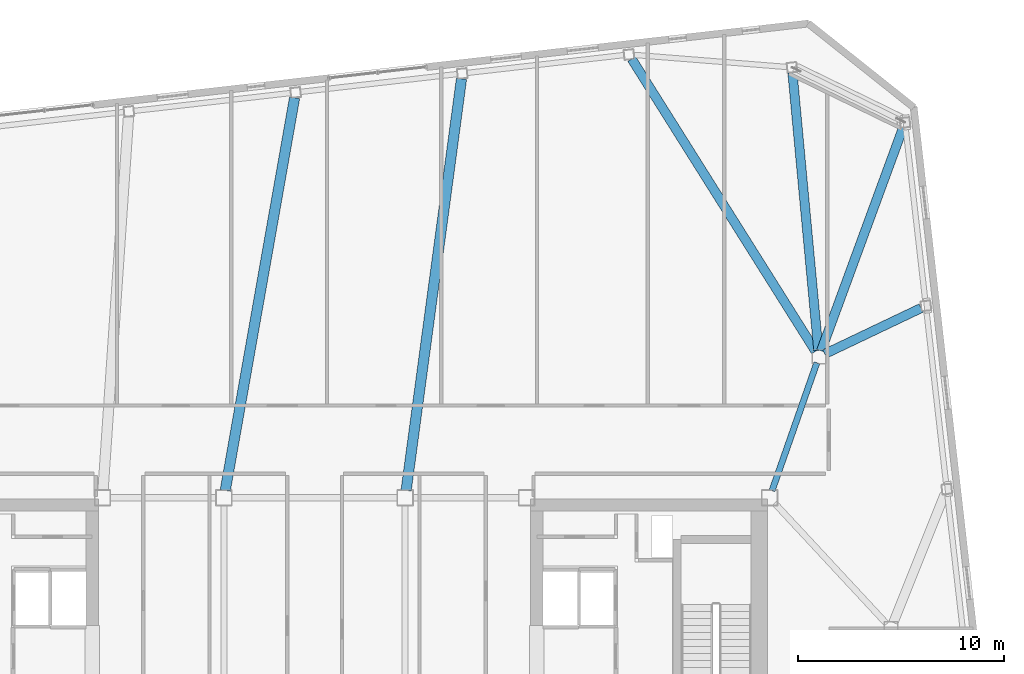
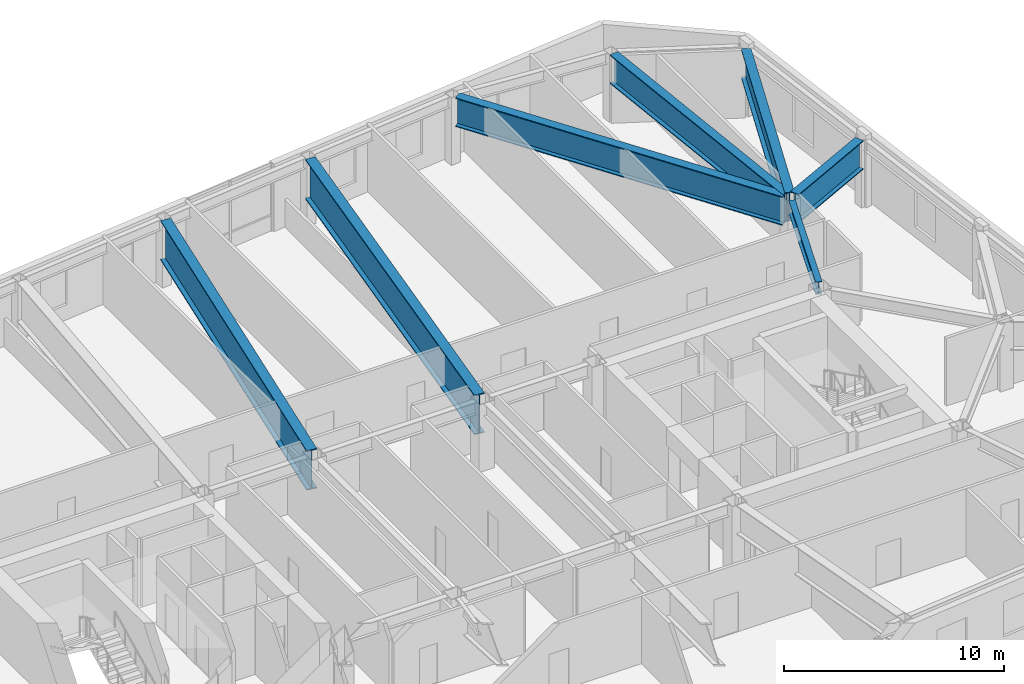
# One storey, part 8 of 18: 7 beams.
"""IFC4 building model written with IfcOpenShell, lengths in metres."""

from ifc_helpers import new_model, si_unit, direction, frame, origin, origin_2d, place, context, subcontext, project, spatial, i_section, extrude, material, material_profile, profile_set, type_object, element, save


model = new_model("IFC4")

# Units and contexts
model_context = context("Model", 3, precision=1e-05, world=origin(), true_north=direction((0.0, 1.0)))
body_context = subcontext(model_context, "Body", "Model", "MODEL_VIEW")
ifc_project = project(units=[si_unit("LENGTHUNIT", "METRE"), si_unit("AREAUNIT", "SQUARE_METRE"), si_unit("VOLUMEUNIT", "CUBIC_METRE"), si_unit("PLANEANGLEUNIT", "RADIAN"), si_unit("MASSUNIT", "GRAM", prefix="KILO")], contexts=[model_context])

# Site, building, storey
site_placement = place(None, origin())
site = spatial("IfcSite", under=ifc_project, at=site_placement, CompositionType="ELEMENT")
building_placement = place(site_placement, origin())
building = spatial("IfcBuilding", under=site, at=building_placement, Name="Tavrogorsk Clinical Tower", CompositionType="ELEMENT")
storey_placement = place(building_placement, frame((0.0, 0.0, 226.199951171875)))
storey = spatial("IfcBuildingStorey", under=building, at=storey_placement, Name="L52", CompositionType="ELEMENT", Elevation=226.199951171875)

# Beams
ifc_material_1 = material(Name="Structural steel S390", Category="steel")
ifc_material_profile_1 = material_profile(ifc_material_1, i_section(OverallWidth=0.300048828125, OverallDepth=0.699951171875, WebThickness=0.01708984375, FlangeThickness=0.028076171875, at=origin_2d()), Name="B-700x300x17x28")
ifc_profile_set_1 = profile_set([ifc_material_profile_1], Name="Structural steel S390")
beam_type_1 = type_object("IfcBeamType", Name="PrimaryGirder_B700", PredefinedType="USERDEFINED", material=ifc_profile_set_1)
beam_1_placement = place(storey_placement, frame((24.3974609375, 12.907470703125, 3.39013671875), z_axis=(-0.330654121425, -0.943752007672, 0.0), x_axis=(0.943752007672, -0.330654121425, 0.0)))
element("IfcBeam", 1, at=beam_1_placement, inside=storey, type_object=beam_type_1, Name="L52 Spine Link Girder OPG-4", ObjectType="GIRDER", PredefinedType="USERDEFINED", context=body_context, shape_type="SweptSolid", body=[
    extrude(i_section(OverallWidth=0.300048828125, OverallDepth=0.699951171875, WebThickness=0.01708984375, FlangeThickness=0.028076171875, at=origin_2d()), origin(), (0.0, 0.0, 1.0), 6.58837890625),
])
ifc_material_2 = material(Name="Structural steel S440", Category="steel")
ifc_material_profile_2 = material_profile(ifc_material_2, i_section(OverallWidth=0.449951171875, OverallDepth=1.60009765625, WebThickness=0.031982421875, FlangeThickness=0.050048828125, at=origin_2d()), Name="DK-1600x450x32x50")
ifc_profile_set_2 = profile_set([ifc_material_profile_2], Name="Structural steel S440")
beam_type_2 = type_object("IfcBeamType", Name="TransferGirder_DK1600", PredefinedType="USERDEFINED", material=ifc_profile_set_2)
beam_2_placement = place(storey_placement, frame((24.47119140625, 13.508544921875, 2.93994140625), z_axis=(-0.092940409745, 0.99567167291, 0.0), x_axis=(-0.99567167291, -0.092940409745, 0.0)))
element("IfcBeam", 2, at=beam_2_placement, inside=storey, type_object=beam_type_2, Name="L52 Radial Floor Beam N1", ObjectType="GIRDER", PredefinedType="USERDEFINED", context=body_context, shape_type="SweptSolid", body=[
    extrude(i_section(OverallWidth=0.449951171875, OverallDepth=1.60009765625, WebThickness=0.031982421875, FlangeThickness=0.050048828125, at=origin_2d()), origin(), (0.0, 0.0, 1.0), 13.546630859375),
])
beam_3_placement = place(storey_placement, frame((24.3349609375, 13.46240234375, 2.93994140625), z_axis=(-0.53234144439, 0.84652973166, 0.0), x_axis=(-0.84652973166, -0.53234144439, 0.0)))
element("IfcBeam", 3, at=beam_3_placement, inside=storey, type_object=beam_type_2, Name="L52 Radial Floor Beam N2", ObjectType="GIRDER", PredefinedType="USERDEFINED", context=body_context, shape_type="SweptSolid", body=[
    extrude(i_section(OverallWidth=0.449951171875, OverallDepth=1.60009765625, WebThickness=0.031982421875, FlangeThickness=0.050048828125, at=origin_2d()), origin(), (0.0, 0.0, 1.0), 16.7734375),
])
beam_4_placement = place(storey_placement, frame((24.77978515625, 13.333251953125, 2.93994140625), z_axis=(0.90270896244, 0.43025170439, 0.0), x_axis=(-0.43025170439, 0.90270896244, 0.0)))
element("IfcBeam", 4, at=beam_4_placement, inside=storey, type_object=beam_type_2, Name="L52 Radial Floor Beam E4", ObjectType="GIRDER", PredefinedType="USERDEFINED", context=body_context, shape_type="SweptSolid", body=[
    extrude(i_section(OverallWidth=0.449951171875, OverallDepth=1.60009765625, WebThickness=0.031982421875, FlangeThickness=0.050048828125, at=origin_2d()), origin(), (0.0, 0.0, 1.0), 5.182861328125),
])
beam_5_placement = place(storey_placement, frame((24.60693359375, 13.490966796875, 2.93994140625), z_axis=(0.34467380093, 0.938722520744, 0.0), x_axis=(-0.938722520744, 0.34467380093, 0.0)))
element("IfcBeam", 5, at=beam_5_placement, inside=storey, type_object=beam_type_2, Name="L52 Radial Floor Beam E5", ObjectType="GIRDER", PredefinedType="USERDEFINED", context=body_context, shape_type="SweptSolid", body=[
    extrude(i_section(OverallWidth=0.449951171875, OverallDepth=1.60009765625, WebThickness=0.031982421875, FlangeThickness=0.050048828125, at=origin_2d()), origin(), (0.0, 0.0, 1.0), 11.55126953125),
])
ifc_material_3 = material(Name="Structural steel S440", Category="steel")
ifc_material_profile_3 = material_profile(ifc_material_3, i_section(OverallWidth=0.5, OverallDepth=2.199951171875, WebThickness=0.035888671875, FlangeThickness=0.054931640625, at=origin_2d()), Name="DK-2200x500x36x55")
ifc_profile_set_3 = profile_set([ifc_material_profile_3], Name="Structural steel S440")
beam_type_3 = type_object("IfcBeamType", Name="TransferGirder_DK2200", PredefinedType="USERDEFINED", material=ifc_profile_set_3)
beam_6_placement = place(storey_placement, frame((4.447998046875, 6.706787109375, 2.64013671875), z_axis=(0.133328812355, 0.991071858039, 0.0), x_axis=(-0.991071858039, 0.133328812355, 0.0)))
element("IfcBeam", 6, at=beam_6_placement, inside=storey, type_object=beam_type_3, Name="L52 Radial Floor Beam N3", ObjectType="GIRDER", PredefinedType="USERDEFINED", context=body_context, shape_type="SweptSolid", body=[
    extrude(i_section(OverallWidth=0.5, OverallDepth=2.199951171875, WebThickness=0.035888671875, FlangeThickness=0.054931640625, at=origin_2d()), origin(), (0.0, 0.0, 1.0), 20.17529296875),
])
beam_7_placement = place(storey_placement, frame((-4.33740234375, 6.70458984375, 2.64013671875), z_axis=(0.173894614236, 0.984764267802, 0.0), x_axis=(-0.984764267802, 0.173894614236, 0.0)))
element("IfcBeam", 7, at=beam_7_placement, inside=storey, type_object=beam_type_3, Name="L52 Radial Floor Beam N4", ObjectType="GIRDER", PredefinedType="USERDEFINED", context=body_context, shape_type="SweptSolid", body=[
    extrude(i_section(OverallWidth=0.5, OverallDepth=2.199951171875, WebThickness=0.035888671875, FlangeThickness=0.054931640625, at=origin_2d()), origin(), (0.0, 0.0, 1.0), 19.371826171875),
])

save(model, "model.ifc")
